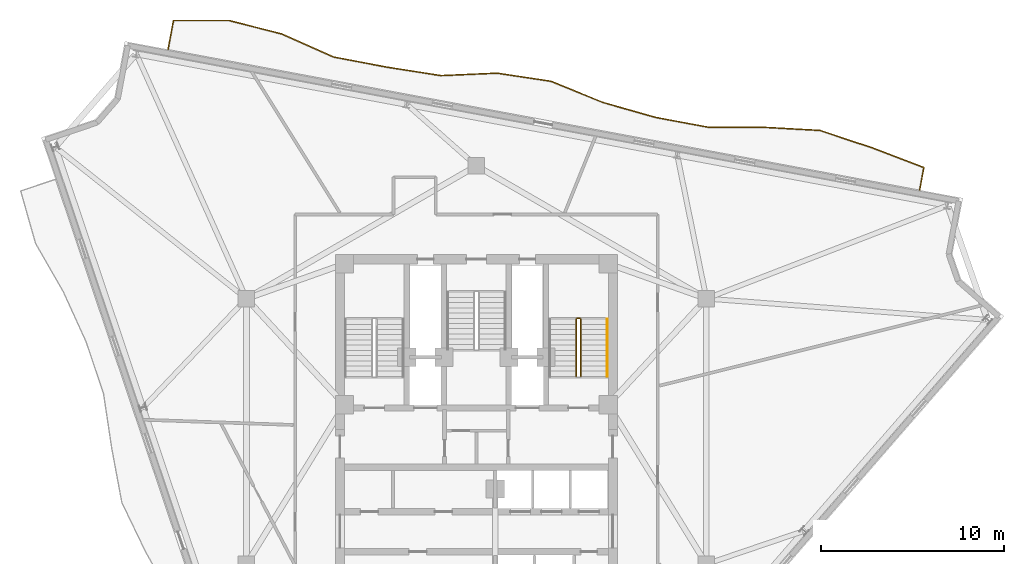
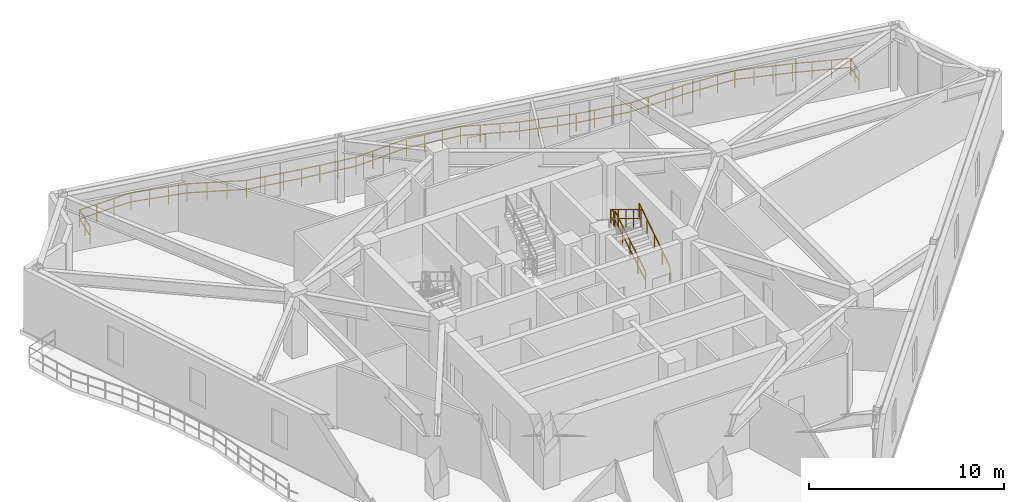
# One storey, part 9 of 9: 5 railings.
"""IFC4 building model written with IfcOpenShell, lengths in metres."""

from ifc_helpers import new_model, si_unit, direction, frame, origin, origin_2d, place, context, subcontext, project, spatial, rectangle, extrude, material, type_object, element, save


model = new_model("IFC4")

# Units and contexts
model_context = context("Model", 3, precision=1e-05, world=origin(), true_north=direction((0.0, 1.0)))
body_context = subcontext(model_context, "Body", "Model", "MODEL_VIEW")
ifc_project = project(units=[si_unit("LENGTHUNIT", "METRE"), si_unit("AREAUNIT", "SQUARE_METRE"), si_unit("VOLUMEUNIT", "CUBIC_METRE"), si_unit("PLANEANGLEUNIT", "RADIAN"), si_unit("MASSUNIT", "GRAM", prefix="KILO")], contexts=[model_context])

# Site, building, storey
site_placement = place(None, origin())
site = spatial("IfcSite", under=ifc_project, at=site_placement, CompositionType="ELEMENT")
building_placement = place(site_placement, origin())
building = spatial("IfcBuilding", under=site, at=building_placement, Name="Apsidion Concourse Tower", CompositionType="ELEMENT")
storey_placement = place(building_placement, frame((0.0, 0.0, 277.800048828125)))
storey = spatial("IfcBuildingStorey", under=building, at=storey_placement, Name="L65", CompositionType="ELEMENT", Elevation=277.800048828125)

# Railings
ifc_material = material(Name="Brushed stainless steel 316", Category="steel")
railing_type_1 = type_object("IfcRailingType", Name="RL-BAL-1120", PredefinedType="BALUSTRADE", material=ifc_material)
railing_1_placement = place(storey_placement, frame((-16.84228515625, 20.8583984375, 0.0)))
element("IfcRailing", 1, at=railing_1_placement, inside=storey, type_object=railing_type_1, Name="L65 Face 3 Rippling Balcony Balustrade", PredefinedType="BALUSTRADE", context=body_context, shape_type="SweptSolid", body=[
    extrude(rectangle(XDim=0.048095703125, YDim=0.048095703125, at=origin_2d()), frame((0.0, 0.0, 1.09619140625), z_axis=(0.183885789421, 0.98294761633, 0.0), x_axis=(-0.98294761633, 0.183885789421, 0.0)), (0.0, 0.0, 1.0), 1.6103515625),
    extrude(rectangle(XDim=0.048095703125, YDim=0.048095703125, at=origin_2d()), frame((0.0, 0.0, 0.5361328125), z_axis=(0.183885789421, 0.98294761633, 0.0), x_axis=(-0.98294761633, 0.183885789421, 0.0)), (0.0, 0.0, 1.0), 1.6103515625),
    extrude(rectangle(XDim=0.048095703125, YDim=0.048095703125, at=origin_2d()), frame((0.296142578125, 1.5830078125, 1.09619140625), z_axis=(0.999999919122, 0.00040218787, 0.0), x_axis=(-0.00040218787, 0.999999919122, 0.0)), (0.0, 0.0, 1.0), 3.03515625),
    extrude(rectangle(XDim=0.048095703125, YDim=0.048095703125, at=origin_2d()), frame((0.296142578125, 1.5830078125, 0.5361328125), z_axis=(0.999999919122, 0.00040218787, 0.0), x_axis=(-0.00040218787, 0.999999919122, 0.0)), (0.0, 0.0, 1.0), 3.03515625),
    extrude(rectangle(XDim=0.048095703125, YDim=0.048095703125, at=origin_2d()), frame((3.331298828125, 1.584228515625, 1.09619140625), z_axis=(0.968585726973, -0.248679893645, 0.0), x_axis=(0.248679893645, 0.968585726973, 0.0)), (0.0, 0.0, 1.0), 2.989501953125),
    extrude(rectangle(XDim=0.048095703125, YDim=0.048095703125, at=origin_2d()), frame((3.331298828125, 1.584228515625, 0.5361328125), z_axis=(0.968585726973, -0.248679893645, 0.0), x_axis=(0.248679893645, 0.968585726973, 0.0)), (0.0, 0.0, 1.0), 2.989501953125),
    extrude(rectangle(XDim=0.048095703125, YDim=0.048095703125, at=origin_2d()), frame((6.226806640625, 0.8408203125, 1.09619140625), z_axis=(0.913223047362, -0.407460017384, 0.0), x_axis=(0.407460017384, 0.913223047362, 0.0)), (0.0, 0.0, 1.0), 3.067138671875),
    extrude(rectangle(XDim=0.048095703125, YDim=0.048095703125, at=origin_2d()), frame((6.226806640625, 0.8408203125, 0.5361328125), z_axis=(0.913223047362, -0.407460017384, 0.0), x_axis=(0.407460017384, 0.913223047362, 0.0)), (0.0, 0.0, 1.0), 3.067138671875),
    extrude(rectangle(XDim=0.048095703125, YDim=0.048095703125, at=origin_2d()), frame((9.02783203125, -0.408935546875, 1.09619140625), z_axis=(0.982450856793, -0.186521618013, 0.0), x_axis=(0.186521618013, 0.982450856793, 0.0)), (0.0, 0.0, 1.0), 2.98291015625),
    extrude(rectangle(XDim=0.048095703125, YDim=0.048095703125, at=origin_2d()), frame((9.02783203125, -0.408935546875, 0.5361328125), z_axis=(0.982450856793, -0.186521618013, 0.0), x_axis=(0.186521618013, 0.982450856793, 0.0)), (0.0, 0.0, 1.0), 2.98291015625),
    extrude(rectangle(XDim=0.048095703125, YDim=0.048095703125, at=origin_2d()), frame((11.95849609375, -0.96533203125, 1.09619140625), z_axis=(0.987924928108, -0.154933328959, 0.0), x_axis=(0.154933328959, 0.987924928108, 0.0)), (0.0, 0.0, 1.0), 2.984619140625),
    extrude(rectangle(XDim=0.048095703125, YDim=0.048095703125, at=origin_2d()), frame((11.95849609375, -0.96533203125, 0.5361328125), z_axis=(0.987924928108, -0.154933328959, 0.0), x_axis=(0.154933328959, 0.987924928108, 0.0)), (0.0, 0.0, 1.0), 2.984619140625),
    extrude(rectangle(XDim=0.048095703125, YDim=0.048095703125, at=origin_2d()), frame((14.906982421875, -1.427734375, 1.09619140625), z_axis=(0.999024618785, 0.044156664976, 0.0), x_axis=(-0.044156664976, 0.999024618785, 0.0)), (0.0, 0.0, 1.0), 3.06298828125),
    extrude(rectangle(XDim=0.048095703125, YDim=0.048095703125, at=origin_2d()), frame((14.906982421875, -1.427734375, 0.5361328125), z_axis=(0.999024618785, 0.044156664976, 0.0), x_axis=(-0.044156664976, 0.999024618785, 0.0)), (0.0, 0.0, 1.0), 3.06298828125),
    extrude(rectangle(XDim=0.048095703125, YDim=0.048095703125, at=origin_2d()), frame((17.967041015625, -1.29248046875, 1.09619140625), z_axis=(0.988808195215, -0.149192335848, 0.0), x_axis=(0.149192335848, 0.988808195215, 0.0)), (0.0, 0.0, 1.0), 2.98486328125),
    extrude(rectangle(XDim=0.048095703125, YDim=0.048095703125, at=origin_2d()), frame((17.967041015625, -1.29248046875, 0.5361328125), z_axis=(0.988808195215, -0.149192335848, 0.0), x_axis=(0.149192335848, 0.988808195215, 0.0)), (0.0, 0.0, 1.0), 2.98486328125),
    extrude(rectangle(XDim=0.048095703125, YDim=0.048095703125, at=origin_2d()), frame((20.91845703125, -1.73779296875, 1.09619140625), z_axis=(0.925664382121, -0.378345677486, 0.0), x_axis=(0.378345677486, 0.925664382121, 0.0)), (0.0, 0.0, 1.0), 3.045654296875),
    extrude(rectangle(XDim=0.048095703125, YDim=0.048095703125, at=origin_2d()), frame((20.91845703125, -1.73779296875, 0.5361328125), z_axis=(0.925664382121, -0.378345677486, 0.0), x_axis=(0.378345677486, 0.925664382121, 0.0)), (0.0, 0.0, 1.0), 3.045654296875),
    extrude(rectangle(XDim=0.048095703125, YDim=0.048095703125, at=origin_2d()), frame((23.73779296875, -2.89013671875, 1.09619140625), z_axis=(0.962002283582, -0.273041400491, 0.0), x_axis=(0.273041400491, 0.962002283582, 0.0)), (0.0, 0.0, 1.0), 2.995361328125),
    extrude(rectangle(XDim=0.048095703125, YDim=0.048095703125, at=origin_2d()), frame((23.73779296875, -2.89013671875, 0.5361328125), z_axis=(0.962002283582, -0.273041400491, 0.0), x_axis=(0.273041400491, 0.962002283582, 0.0)), (0.0, 0.0, 1.0), 2.995361328125),
    extrude(rectangle(XDim=0.048095703125, YDim=0.048095703125, at=origin_2d()), frame((26.619384765625, -3.7080078125, 1.09619140625), z_axis=(0.982947148656, -0.183888289321, 0.0), x_axis=(0.183888289321, 0.982947148656, 0.0)), (0.0, 0.0, 1.0), 2.983154296875),
    extrude(rectangle(XDim=0.048095703125, YDim=0.048095703125, at=origin_2d()), frame((26.619384765625, -3.7080078125, 0.5361328125), z_axis=(0.982947148656, -0.183888289321, 0.0), x_axis=(0.183888289321, 0.982947148656, 0.0)), (0.0, 0.0, 1.0), 2.983154296875),
    extrude(rectangle(XDim=0.048095703125, YDim=0.048095703125, at=origin_2d()), frame((29.5517578125, -4.256591796875, 1.09619140625), z_axis=(0.999999608553, 0.000884813038, 0.0), x_axis=(-0.000884813038, 0.999999608553, 0.0)), (0.0, 0.0, 1.0), 3.03515625),
    extrude(rectangle(XDim=0.048095703125, YDim=0.048095703125, at=origin_2d()), frame((29.5517578125, -4.256591796875, 0.5361328125), z_axis=(0.999999608553, 0.000884813038, 0.0), x_axis=(-0.000884813038, 0.999999608553, 0.0)), (0.0, 0.0, 1.0), 3.03515625),
    extrude(rectangle(XDim=0.048095703125, YDim=0.048095703125, at=origin_2d()), frame((32.5869140625, -4.25390625, 1.09619140625), z_axis=(0.998476045045, -0.055186841472, 0.0), x_axis=(0.055186841472, 0.998476045045, 0.0)), (0.0, 0.0, 1.0), 3.00830078125),
    extrude(rectangle(XDim=0.048095703125, YDim=0.048095703125, at=origin_2d()), frame((32.5869140625, -4.25390625, 0.5361328125), z_axis=(0.998476045045, -0.055186841472, 0.0), x_axis=(0.055186841472, 0.998476045045, 0.0)), (0.0, 0.0, 1.0), 3.00830078125),
    extrude(rectangle(XDim=0.048095703125, YDim=0.048095703125, at=origin_2d()), frame((35.590576171875, -4.419921875, 1.09619140625), z_axis=(0.949265545027, -0.314475635026, 0.0), x_axis=(0.314475635026, 0.949265545027, 0.0)), (0.0, 0.0, 1.0), 3.0107421875),
    extrude(rectangle(XDim=0.048095703125, YDim=0.048095703125, at=origin_2d()), frame((35.590576171875, -4.419921875, 0.5361328125), z_axis=(0.949265545027, -0.314475635026, 0.0), x_axis=(0.314475635026, 0.949265545027, 0.0)), (0.0, 0.0, 1.0), 3.0107421875),
    extrude(rectangle(XDim=0.048095703125, YDim=0.048095703125, at=origin_2d()), frame((38.448486328125, -5.36669921875, 1.09619140625), z_axis=(0.933915100479, -0.357494874224, 0.0), x_axis=(0.357494874224, 0.933915100479, 0.0)), (0.0, 0.0, 1.0), 3.0322265625),
    extrude(rectangle(XDim=0.048095703125, YDim=0.048095703125, at=origin_2d()), frame((38.448486328125, -5.36669921875, 0.5361328125), z_axis=(0.933915100479, -0.357494874224, 0.0), x_axis=(0.357494874224, 0.933915100479, 0.0)), (0.0, 0.0, 1.0), 3.0322265625),
    extrude(rectangle(XDim=0.048095703125, YDim=0.048095703125, at=origin_2d()), frame((41.2802734375, -6.45068359375, 1.09619140625), z_axis=(-0.183781456041, -0.982967128858, 0.0), x_axis=(0.982967128858, -0.183781456041, 0.0)), (0.0, 0.0, 1.0), 1.25),
    extrude(rectangle(XDim=0.048095703125, YDim=0.048095703125, at=origin_2d()), frame((41.2802734375, -6.45068359375, 0.5361328125), z_axis=(-0.183781456041, -0.982967128858, 0.0), x_axis=(0.982967128858, -0.183781456041, 0.0)), (0.0, 0.0, 1.0), 1.25),
    extrude(rectangle(XDim=0.0419921875, YDim=0.0419921875, at=origin_2d()), origin(), (0.0, 0.0, 1.0), 1.072021484375),
    extrude(rectangle(XDim=0.0419921875, YDim=0.0419921875, at=origin_2d()), frame((0.14794921875, 0.79150390625, 0.0)), (0.0, 0.0, 1.0), 1.072021484375),
    extrude(rectangle(XDim=0.0419921875, YDim=0.0419921875, at=origin_2d()), frame((0.296142578125, 1.5830078125, 0.0)), (0.0, 0.0, 1.0), 1.072021484375),
    extrude(rectangle(XDim=0.0419921875, YDim=0.0419921875, at=origin_2d()), frame((1.307861328125, 1.58349609375, 0.0)), (0.0, 0.0, 1.0), 1.072021484375),
    extrude(rectangle(XDim=0.0419921875, YDim=0.0419921875, at=origin_2d()), frame((2.319580078125, 1.583740234375, 0.0)), (0.0, 0.0, 1.0), 1.072021484375),
    extrude(rectangle(XDim=0.0419921875, YDim=0.0419921875, at=origin_2d()), frame((3.331298828125, 1.584228515625, 0.0)), (0.0, 0.0, 1.0), 1.072021484375),
    extrude(rectangle(XDim=0.0419921875, YDim=0.0419921875, at=origin_2d()), frame((4.29638671875, 1.33642578125, 0.0)), (0.0, 0.0, 1.0), 1.072021484375),
    extrude(rectangle(XDim=0.0419921875, YDim=0.0419921875, at=origin_2d()), frame((5.26171875, 1.088623046875, 0.0)), (0.0, 0.0, 1.0), 1.072021484375),
    extrude(rectangle(XDim=0.0419921875, YDim=0.0419921875, at=origin_2d()), frame((6.226806640625, 0.8408203125, 0.0)), (0.0, 0.0, 1.0), 1.072021484375),
    extrude(rectangle(XDim=0.0419921875, YDim=0.0419921875, at=origin_2d()), frame((7.160400390625, 0.42431640625, 0.0)), (0.0, 0.0, 1.0), 1.072021484375),
    extrude(rectangle(XDim=0.0419921875, YDim=0.0419921875, at=origin_2d()), frame((8.09423828125, 0.007568359375, 0.0)), (0.0, 0.0, 1.0), 1.072021484375),
    extrude(rectangle(XDim=0.0419921875, YDim=0.0419921875, at=origin_2d()), frame((9.02783203125, -0.408935546875, 0.0)), (0.0, 0.0, 1.0), 1.072021484375),
    extrude(rectangle(XDim=0.0419921875, YDim=0.0419921875, at=origin_2d()), frame((10.004638671875, -0.594482421875, 0.0)), (0.0, 0.0, 1.0), 1.072021484375),
    extrude(rectangle(XDim=0.0419921875, YDim=0.0419921875, at=origin_2d()), frame((10.981689453125, -0.77978515625, 0.0)), (0.0, 0.0, 1.0), 1.072021484375),
    extrude(rectangle(XDim=0.0419921875, YDim=0.0419921875, at=origin_2d()), frame((11.95849609375, -0.96533203125, 0.0)), (0.0, 0.0, 1.0), 1.072021484375),
    extrude(rectangle(XDim=0.0419921875, YDim=0.0419921875, at=origin_2d()), frame((12.94140625, -1.119384765625, 0.0)), (0.0, 0.0, 1.0), 1.072021484375),
    extrude(rectangle(XDim=0.0419921875, YDim=0.0419921875, at=origin_2d()), frame((13.924072265625, -1.273681640625, 0.0)), (0.0, 0.0, 1.0), 1.072021484375),
    extrude(rectangle(XDim=0.0419921875, YDim=0.0419921875, at=origin_2d()), frame((14.906982421875, -1.427734375, 0.0)), (0.0, 0.0, 1.0), 1.072021484375),
    extrude(rectangle(XDim=0.0419921875, YDim=0.0419921875, at=origin_2d()), frame((15.927001953125, -1.382568359375, 0.0)), (0.0, 0.0, 1.0), 1.072021484375),
    extrude(rectangle(XDim=0.0419921875, YDim=0.0419921875, at=origin_2d()), frame((16.947021484375, -1.337646484375, 0.0)), (0.0, 0.0, 1.0), 1.072021484375),
    extrude(rectangle(XDim=0.0419921875, YDim=0.0419921875, at=origin_2d()), frame((17.967041015625, -1.29248046875, 0.0)), (0.0, 0.0, 1.0), 1.072021484375),
    extrude(rectangle(XDim=0.0419921875, YDim=0.0419921875, at=origin_2d()), frame((18.950927734375, -1.44091796875, 0.0)), (0.0, 0.0, 1.0), 1.072021484375),
    extrude(rectangle(XDim=0.0419921875, YDim=0.0419921875, at=origin_2d()), frame((19.9345703125, -1.58935546875, 0.0)), (0.0, 0.0, 1.0), 1.072021484375),
    extrude(rectangle(XDim=0.0419921875, YDim=0.0419921875, at=origin_2d()), frame((20.91845703125, -1.73779296875, 0.0)), (0.0, 0.0, 1.0), 1.072021484375),
    extrude(rectangle(XDim=0.0419921875, YDim=0.0419921875, at=origin_2d()), frame((21.858154296875, -2.121826171875, 0.0)), (0.0, 0.0, 1.0), 1.072021484375),
    extrude(rectangle(XDim=0.0419921875, YDim=0.0419921875, at=origin_2d()), frame((22.798095703125, -2.506103515625, 0.0)), (0.0, 0.0, 1.0), 1.072021484375),
    extrude(rectangle(XDim=0.0419921875, YDim=0.0419921875, at=origin_2d()), frame((23.73779296875, -2.89013671875, 0.0)), (0.0, 0.0, 1.0), 1.072021484375),
    extrude(rectangle(XDim=0.0419921875, YDim=0.0419921875, at=origin_2d()), frame((24.6982421875, -3.162841796875, 0.0)), (0.0, 0.0, 1.0), 1.072021484375),
    extrude(rectangle(XDim=0.0419921875, YDim=0.0419921875, at=origin_2d()), frame((25.658935546875, -3.435302734375, 0.0)), (0.0, 0.0, 1.0), 1.072021484375),
    extrude(rectangle(XDim=0.0419921875, YDim=0.0419921875, at=origin_2d()), frame((26.619384765625, -3.7080078125, 0.0)), (0.0, 0.0, 1.0), 1.072021484375),
    extrude(rectangle(XDim=0.0419921875, YDim=0.0419921875, at=origin_2d()), frame((27.596923828125, -3.890869140625, 0.0)), (0.0, 0.0, 1.0), 1.072021484375),
    extrude(rectangle(XDim=0.0419921875, YDim=0.0419921875, at=origin_2d()), frame((28.57421875, -4.07373046875, 0.0)), (0.0, 0.0, 1.0), 1.072021484375),
    extrude(rectangle(XDim=0.0419921875, YDim=0.0419921875, at=origin_2d()), frame((29.5517578125, -4.256591796875, 0.0)), (0.0, 0.0, 1.0), 1.072021484375),
    extrude(rectangle(XDim=0.0419921875, YDim=0.0419921875, at=origin_2d()), frame((30.5634765625, -4.255615234375, 0.0)), (0.0, 0.0, 1.0), 1.072021484375),
    extrude(rectangle(XDim=0.0419921875, YDim=0.0419921875, at=origin_2d()), frame((31.5751953125, -4.2548828125, 0.0)), (0.0, 0.0, 1.0), 1.072021484375),
    extrude(rectangle(XDim=0.0419921875, YDim=0.0419921875, at=origin_2d()), frame((32.5869140625, -4.25390625, 0.0)), (0.0, 0.0, 1.0), 1.072021484375),
    extrude(rectangle(XDim=0.0419921875, YDim=0.0419921875, at=origin_2d()), frame((33.588134765625, -4.309326171875, 0.0)), (0.0, 0.0, 1.0), 1.072021484375),
    extrude(rectangle(XDim=0.0419921875, YDim=0.0419921875, at=origin_2d()), frame((34.58935546875, -4.364501953125, 0.0)), (0.0, 0.0, 1.0), 1.072021484375),
    extrude(rectangle(XDim=0.0419921875, YDim=0.0419921875, at=origin_2d()), frame((35.590576171875, -4.419921875, 0.0)), (0.0, 0.0, 1.0), 1.072021484375),
    extrude(rectangle(XDim=0.0419921875, YDim=0.0419921875, at=origin_2d()), frame((36.543212890625, -4.735595703125, 0.0)), (0.0, 0.0, 1.0), 1.072021484375),
    extrude(rectangle(XDim=0.0419921875, YDim=0.0419921875, at=origin_2d()), frame((37.495849609375, -5.051025390625, 0.0)), (0.0, 0.0, 1.0), 1.072021484375),
    extrude(rectangle(XDim=0.0419921875, YDim=0.0419921875, at=origin_2d()), frame((38.448486328125, -5.36669921875, 0.0)), (0.0, 0.0, 1.0), 1.072021484375),
    extrude(rectangle(XDim=0.0419921875, YDim=0.0419921875, at=origin_2d()), frame((39.392333984375, -5.72802734375, 0.0)), (0.0, 0.0, 1.0), 1.072021484375),
    extrude(rectangle(XDim=0.0419921875, YDim=0.0419921875, at=origin_2d()), frame((40.33642578125, -6.08935546875, 0.0)), (0.0, 0.0, 1.0), 1.072021484375),
    extrude(rectangle(XDim=0.0419921875, YDim=0.0419921875, at=origin_2d()), frame((41.2802734375, -6.45068359375, 0.0)), (0.0, 0.0, 1.0), 1.072021484375),
    extrude(rectangle(XDim=0.0419921875, YDim=0.0419921875, at=origin_2d()), frame((41.16552734375, -7.06494140625, 0.0)), (0.0, 0.0, 1.0), 1.072021484375),
    extrude(rectangle(XDim=0.0419921875, YDim=0.0419921875, at=origin_2d()), frame((41.050537109375, -7.679443359375, 0.0)), (0.0, 0.0, 1.0), 1.072021484375),
])
railing_type_2 = type_object("IfcRailingType", Name="RL-GUARD-1100", PredefinedType="GUARDRAIL", material=ifc_material)
railing_2_placement = place(storey_placement, frame((5.699951171875, 3.0, 0.1708984375)))
element("IfcRailing", 2, at=railing_2_placement, inside=storey, type_object=railing_type_2, Name="L65 ST2 stair guard 1", PredefinedType="GUARDRAIL", context=body_context, shape_type="SweptSolid", body=[
    extrude(rectangle(XDim=0.048095703125, YDim=0.048095703125, at=origin_2d()), frame((0.0, 0.0, 1.09619140625), z_axis=(0.0, 0.857716804754, 0.514122439544), x_axis=(-1.0, 0.0, 0.0)), (0.0, 0.0, 1.0), 3.655029296875),
    extrude(rectangle(XDim=0.048095703125, YDim=0.048095703125, at=origin_2d()), frame((0.0, 0.0, 0.5361328125), z_axis=(0.0, 0.857716804754, 0.514122439544), x_axis=(-1.0, 0.0, 0.0)), (0.0, 0.0, 1.0), 3.655029296875),
    extrude(rectangle(XDim=0.0419921875, YDim=0.0419921875, at=origin_2d()), origin(), (0.0, 0.0, 1.0), 1.072021484375),
    extrude(rectangle(XDim=0.0419921875, YDim=0.0419921875, at=origin_2d()), frame((0.0, 0.78369140625, 0.4697265625)), (0.0, 0.0, 1.0), 1.072021484375),
    extrude(rectangle(XDim=0.0419921875, YDim=0.0419921875, at=origin_2d()), frame((0.0, 1.5673828125, 0.939453125)), (0.0, 0.0, 1.0), 1.072021484375),
    extrude(rectangle(XDim=0.0419921875, YDim=0.0419921875, at=origin_2d()), frame((0.0, 2.351318359375, 1.409423828125)), (0.0, 0.0, 1.0), 1.072021484375),
    extrude(rectangle(XDim=0.0419921875, YDim=0.0419921875, at=origin_2d()), frame((0.0, 3.135009765625, 1.879150390625)), (0.0, 0.0, 1.0), 1.072021484375),
])
railing_3_placement = place(storey_placement, frame((5.64990234375, 6.18505859375, 2.050048828125)))
element("IfcRailing", 3, at=railing_3_placement, inside=storey, type_object=railing_type_2, Name="L65 ST2 stair guard 2", PredefinedType="GUARDRAIL", context=body_context, shape_type="SweptSolid", body=[
    extrude(rectangle(XDim=0.048095703125, YDim=0.048095703125, at=origin_2d()), frame((0.0, 0.0, 1.09619140625), z_axis=(-1.0, 0.0, 0.0), x_axis=(0.0, -1.0, 0.0)), (0.0, 0.0, 1.0), 0.14990234375),
    extrude(rectangle(XDim=0.048095703125, YDim=0.048095703125, at=origin_2d()), frame((0.0, 0.0, 0.5361328125), z_axis=(-1.0, 0.0, 0.0), x_axis=(0.0, -1.0, 0.0)), (0.0, 0.0, 1.0), 0.14990234375),
    extrude(rectangle(XDim=0.0419921875, YDim=0.0419921875, at=origin_2d()), origin(), (0.0, 0.0, 1.0), 1.072021484375),
    extrude(rectangle(XDim=0.0419921875, YDim=0.0419921875, at=origin_2d()), frame((-0.14990234375, 0.0, 0.0)), (0.0, 0.0, 1.0), 1.072021484375),
])
railing_4_placement = place(storey_placement, frame((5.449951171875, 6.135009765625, 2.220703125)))
element("IfcRailing", 4, at=railing_4_placement, inside=storey, type_object=railing_type_2, Name="L65 ST2 stair guard 3", PredefinedType="GUARDRAIL", context=body_context, shape_type="SweptSolid", body=[
    extrude(rectangle(XDim=0.048095703125, YDim=0.048095703125, at=origin_2d()), frame((0.0, 0.0, 1.09619140625), z_axis=(0.0, -0.857716804754, 0.514122439544), x_axis=(1.0, 0.0, 0.0)), (0.0, 0.0, 1.0), 3.655029296875),
    extrude(rectangle(XDim=0.048095703125, YDim=0.048095703125, at=origin_2d()), frame((0.0, 0.0, 0.5361328125), z_axis=(0.0, -0.857716804754, 0.514122439544), x_axis=(1.0, 0.0, 0.0)), (0.0, 0.0, 1.0), 3.655029296875),
    extrude(rectangle(XDim=0.0419921875, YDim=0.0419921875, at=origin_2d()), origin(), (0.0, 0.0, 1.0), 1.072021484375),
    extrude(rectangle(XDim=0.0419921875, YDim=0.0419921875, at=origin_2d()), frame((0.0, -0.78369140625, 0.4697265625)), (0.0, 0.0, 1.0), 1.072021484375),
    extrude(rectangle(XDim=0.0419921875, YDim=0.0419921875, at=origin_2d()), frame((0.0, -1.5673828125, 0.939453125)), (0.0, 0.0, 1.0), 1.072021484375),
    extrude(rectangle(XDim=0.0419921875, YDim=0.0419921875, at=origin_2d()), frame((0.0, -2.351318359375, 1.409423828125)), (0.0, 0.0, 1.0), 1.072021484375),
    extrude(rectangle(XDim=0.0419921875, YDim=0.0419921875, at=origin_2d()), frame((0.0, -3.135009765625, 1.879150390625)), (0.0, 0.0, 1.0), 1.072021484375),
])
railing_type_3 = type_object("IfcRailingType", Name="RL-HAND-900", PredefinedType="HANDRAIL", material=ifc_material)
railing_5_placement = place(storey_placement, frame((7.14990234375, 3.0, 0.1708984375)))
element("IfcRailing", 5, at=railing_5_placement, inside=storey, type_object=railing_type_3, Name="L65 ST2 stair handrail 1", PredefinedType="HANDRAIL", context=body_context, shape_type="SweptSolid", body=[
    extrude(rectangle(XDim=0.048095703125, YDim=0.048095703125, at=origin_2d()), frame((0.0, 0.0, 0.8759765625), z_axis=(0.0, 0.836970762213, 0.547247606848), x_axis=(-1.0, 0.0, 0.0)), (0.0, 0.0, 1.0), 3.74560546875),
    extrude(rectangle(XDim=0.0419921875, YDim=0.0419921875, at=origin_2d()), origin(), (0.0, 0.0, 1.0), 0.851806640625),
    extrude(rectangle(XDim=0.0419921875, YDim=0.0419921875, at=origin_2d()), frame((0.0, 0.78369140625, 0.512451171875)), (0.0, 0.0, 1.0), 0.851806640625),
    extrude(rectangle(XDim=0.0419921875, YDim=0.0419921875, at=origin_2d()), frame((0.0, 1.5673828125, 1.02490234375)), (0.0, 0.0, 1.0), 0.851806640625),
    extrude(rectangle(XDim=0.0419921875, YDim=0.0419921875, at=origin_2d()), frame((0.0, 2.351318359375, 1.537353515625)), (0.0, 0.0, 1.0), 0.851806640625),
    extrude(rectangle(XDim=0.0419921875, YDim=0.0419921875, at=origin_2d()), frame((0.0, 3.135009765625, 2.0498046875)), (0.0, 0.0, 1.0), 0.851806640625),
])

save(model, "model.ifc")
